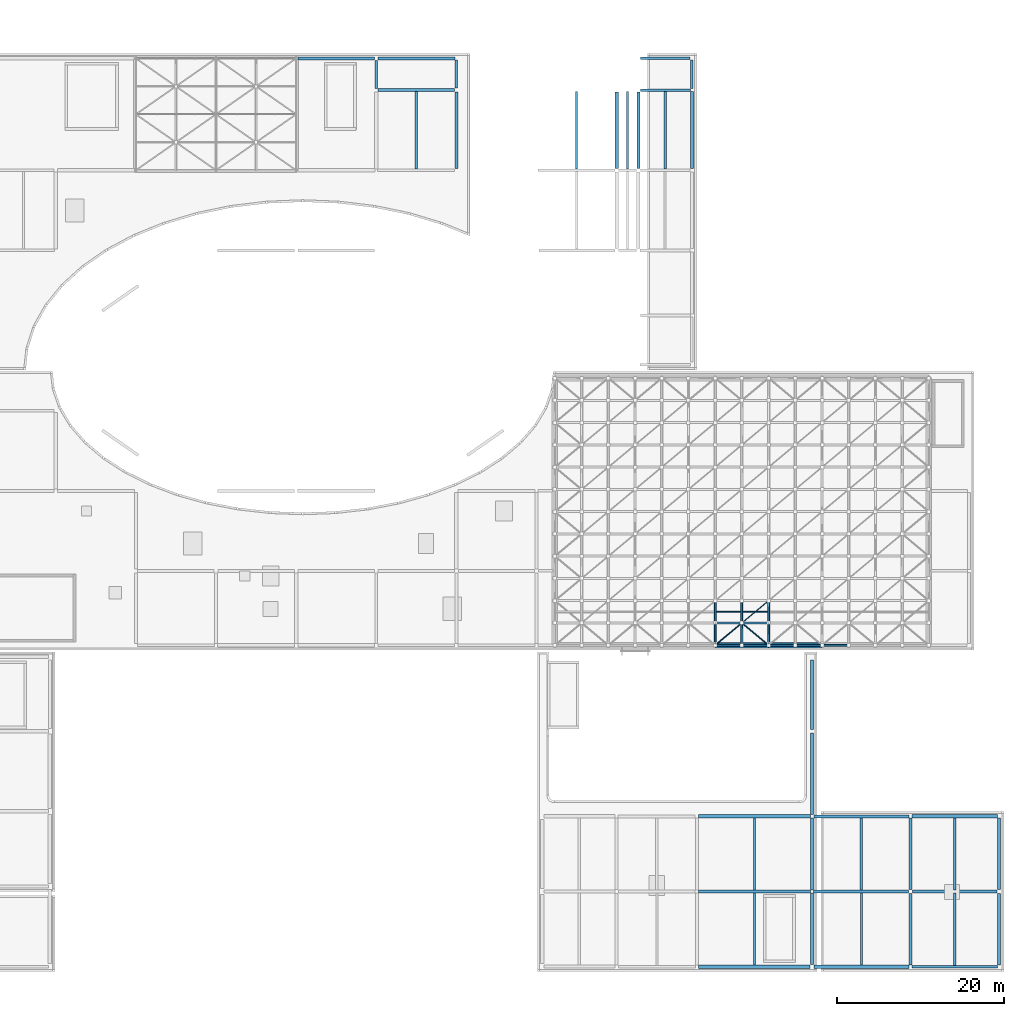
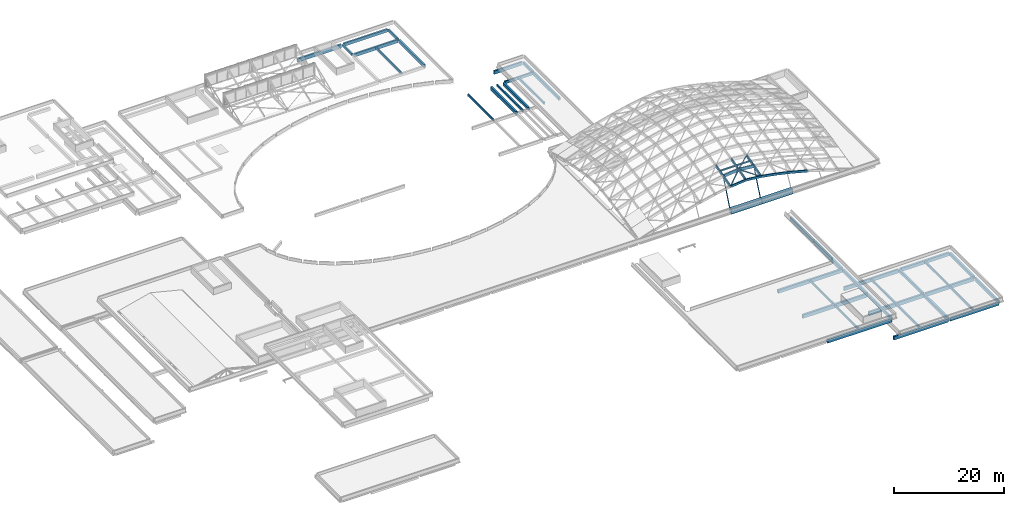
# One storey, part 17 of 40: 41 beams, 19 members.
"""IFC4 building model written with IfcOpenShell, lengths in metres."""

from ifc_helpers import new_model, si_unit, direction, frame, origin, origin_2d, place, context, subcontext, project, spatial, rectangle, hollow_circle, extrude, material, material_profile, profile_set, type_object, element, save


model = new_model("IFC4")

# Units and contexts
model_context = context("Model", 3, precision=1e-05, world=origin(), true_north=direction((0.0, 1.0)))
body_context = subcontext(model_context, "Body", "Model", "MODEL_VIEW")
ifc_project = project(units=[si_unit("LENGTHUNIT", "METRE"), si_unit("AREAUNIT", "SQUARE_METRE"), si_unit("VOLUMEUNIT", "CUBIC_METRE"), si_unit("PLANEANGLEUNIT", "RADIAN"), si_unit("MASSUNIT", "GRAM", prefix="KILO")], contexts=[model_context])

# Site, building, storey
site_placement = place(None, origin())
site = spatial("IfcSite", under=ifc_project, at=site_placement, CompositionType="ELEMENT")
building_placement = place(site_placement, origin())
building = spatial("IfcBuilding", under=site, at=building_placement, Name="Mzevani Central Library", CompositionType="ELEMENT")
storey_placement = place(building_placement, frame((0.0, 0.0, 26.699951171875)))
storey = spatial("IfcBuildingStorey", under=building, at=storey_placement, Name="RF", CompositionType="ELEMENT", Elevation=26.699951171875)

# Member
ifc_material_1 = material(Name="Glulam GL28h", Category="wood")
ifc_material_profile_1 = material_profile(ifc_material_1, rectangle(XDim=0.139892578125, YDim=0.300048828125, at=origin_2d()), Name="GL28h 140x300")
ifc_profile_set_1 = profile_set([ifc_material_profile_1], Name="Glulam GL28h")
member_type_1 = type_object("IfcMemberType", Name="Acoustic Baffle Batten GL28h 140x300", PredefinedType="PURLIN", material=ifc_profile_set_1)
member_1_placement = place(storey_placement, frame((133.489990234375, 47.10009765625, -6.668212890625), z_axis=(1.0, 0.0, 0.0), x_axis=(0.0, 1.0, 0.0)))
element("IfcMember", 1, at=member_1_placement, inside=storey, type_object=member_type_1, Name="RF Gridshell Edge Baffle Purlin 4", PredefinedType="PURLIN", context=body_context, shape_type="SweptSolid", body=[
    extrude(rectangle(XDim=0.139892578125, YDim=0.300048828125, at=origin_2d()), origin(), (0.0, 0.0, 1.0), 6.219970703125),
])

# Beams
ifc_material_2 = material(Name="Concrete C35/45", Category="concrete")
ifc_material_profile_2 = material_profile(ifc_material_2, rectangle(XDim=0.300048828125, YDim=0.5, at=origin_2d()), Name="RC B300x500")
ifc_profile_set_2 = profile_set([ifc_material_profile_2], Name="Concrete C35/45")
beam_type_1 = type_object("IfcBeamType", Name="Beam RC 300x500", PredefinedType="BEAM", material=ifc_profile_set_2)
beam_1_placement = place(storey_placement, frame((92.800048828125, 109.800048828125, -4.7099609375), z_axis=(0.0, 1.0, 0.0), x_axis=(-1.0, 0.0, 0.0)))
element("IfcBeam", 2, at=beam_1_placement, inside=storey, type_object=beam_type_1, Name="RF V3 Frame Beam B-01 (780)", PredefinedType="BEAM", context=body_context, shape_type="SweptSolid", body=[
    extrude(rectangle(XDim=0.300048828125, YDim=0.5, at=origin_2d()), origin(), (0.0, 0.0, 1.0), 3.375),
])
ifc_material_profile_3 = material_profile(ifc_material_2, rectangle(XDim=0.300048828125, YDim=0.60009765625, at=origin_2d()), Name="RC B300x600")
ifc_profile_set_3 = profile_set([ifc_material_profile_3], Name="Concrete C35/45")
beam_type_2 = type_object("IfcBeamType", Name="Beam RC 300x600", PredefinedType="BEAM", material=ifc_profile_set_3)
beam_2_placement = place(storey_placement, frame((124.449951171875, 109.60009765625, -21.85986328125), z_axis=(1.0, 0.0, 0.0), x_axis=(0.0, 1.0, 0.0)))
element("IfcBeam", 3, at=beam_2_placement, inside=storey, type_object=beam_type_2, Name="RF V3 Girder B-03 (482)", PredefinedType="BEAM", context=body_context, shape_type="SweptSolid", body=[
    extrude(rectangle(XDim=0.300048828125, YDim=0.60009765625, at=origin_2d()), origin(), (0.0, 0.0, 1.0), 5.97509765625),
])
beam_3_placement = place(storey_placement, frame((130.60009765625, 109.77490234375, -21.85986328125), z_axis=(0.0, 1.0, 0.0), x_axis=(-1.0, 0.0, 0.0)))
element("IfcBeam", 4, at=beam_3_placement, inside=storey, type_object=beam_type_2, Name="RF V3 Frame Beam B-03 (538)", PredefinedType="BEAM", context=body_context, shape_type="SweptSolid", body=[
    extrude(rectangle(XDim=0.300048828125, YDim=0.60009765625, at=origin_2d()), origin(), (0.0, 0.0, 1.0), 3.425048828125),
])
beam_4_placement = place(storey_placement, frame((102.39990234375, 109.824951171875, -4.760009765625), z_axis=(0.0, 1.0, 0.0), x_axis=(-1.0, 0.0, 0.0)))
element("IfcBeam", 5, at=beam_4_placement, inside=storey, type_object=beam_type_2, Name="RF V3 Frame Beam B-03 (782)", PredefinedType="BEAM", context=body_context, shape_type="SweptSolid", body=[
    extrude(rectangle(XDim=0.300048828125, YDim=0.60009765625, at=origin_2d()), origin(), (0.0, 0.0, 1.0), 3.400146484375),
])
ifc_material_profile_4 = material_profile(ifc_material_2, rectangle(XDim=0.35009765625, YDim=0.64990234375, at=origin_2d()), Name="RC B350x650")
ifc_profile_set_4 = profile_set([ifc_material_profile_4], Name="Concrete C35/45")
beam_type_3 = type_object("IfcBeamType", Name="Beam RC 350x650", PredefinedType="BEAM", material=ifc_profile_set_4)
beam_5_placement = place(storey_placement, frame((124.199951171875, 100.22509765625, -21.885009765625), z_axis=(0.0, 1.0, 0.0), x_axis=(-1.0, 0.0, 0.0)))
element("IfcBeam", 6, at=beam_5_placement, inside=storey, type_object=beam_type_3, Name="RF V3 Frame Beam B-05 (532)", PredefinedType="BEAM", context=body_context, shape_type="SweptSolid", body=[
    extrude(rectangle(XDim=0.35009765625, YDim=0.64990234375, at=origin_2d()), origin(), (0.0, 0.0, 1.0), 9.125),
])
beam_6_placement = place(storey_placement, frame((93.02490234375, 113.39990234375, -4.784912109375), z_axis=(1.0, 0.0, 0.0), x_axis=(0.0, 1.0, 0.0)))
element("IfcBeam", 7, at=beam_6_placement, inside=storey, type_object=beam_type_3, Name="RF V3 Girder B-05 (772)", PredefinedType="BEAM", context=body_context, shape_type="SweptSolid", body=[
    extrude(rectangle(XDim=0.35009765625, YDim=0.64990234375, at=origin_2d()), origin(), (0.0, 0.0, 1.0), 9.2001953125),
])
for number, where, z_axis, x_axis, name in (
    (8, (156.800048828125, 13.824951171875, -21.885009765625), (0.0, 1.0, 0.0), (-1.0, 0.0, 0.0), "RF V6 Frame Beam B-05 (1068)"),
    (9, (145.0, 4.824951171875, -17.68505859375), (0.0, 1.0, 0.0), (-1.0, 0.0, 0.0), "RF V6 Frame Beam B-05 (1108)"),
):
    element("IfcBeam", number, at=place(storey_placement, frame(where, z_axis=z_axis, x_axis=x_axis)), inside=storey, type_object=beam_type_3, Name=name, PredefinedType="BEAM", context=body_context, shape_type="SweptSolid", body=[
        extrude(rectangle(XDim=0.35009765625, YDim=0.64990234375, at=origin_2d()), origin(), (0.0, 0.0, 1.0), 8.60009765625),
    ])
ifc_material_profile_5 = material_profile(ifc_material_2, rectangle(XDim=0.35009765625, YDim=0.699951171875, at=origin_2d()), Name="RC B350x700")
ifc_profile_set_5 = profile_set([ifc_material_profile_5], Name="Concrete C35/45")
beam_type_4 = type_object("IfcBeamType", Name="Beam RC 350x700", PredefinedType="BEAM", material=ifc_profile_set_5)
beam_7_placement = place(storey_placement, frame((130.60009765625, 100.22509765625, -21.909912109375), z_axis=(0.0, 1.0, 0.0), x_axis=(-1.0, 0.0, 0.0)))
element("IfcBeam", 10, at=beam_7_placement, inside=storey, type_object=beam_type_4, Name="RF V3 Frame Beam B-06 (537)", PredefinedType="BEAM", context=body_context, shape_type="SweptSolid", body=[
    extrude(rectangle(XDim=0.35009765625, YDim=0.699951171875, at=origin_2d()), origin(), (0.0, 0.0, 1.0), 9.199951171875),
])
for number, where, z_axis, x_axis, name in (
    (11, (93.0, 109.60009765625, -4.81005859375), (1.0, 0.0, 0.0), (0.0, 1.0, 0.0), "RF V3 Girder B-06 (769)"),
    (12, (102.39990234375, 100.199951171875, -4.81005859375), (0.0, 1.0, 0.0), (-1.0, 0.0, 0.0), "RF V3 Frame Beam B-06 (781)"),
):
    element("IfcBeam", number, at=place(storey_placement, frame(where, z_axis=z_axis, x_axis=x_axis)), inside=storey, type_object=beam_type_4, Name=name, PredefinedType="BEAM", context=body_context, shape_type="SweptSolid", body=[
        extrude(rectangle(XDim=0.35009765625, YDim=0.699951171875, at=origin_2d()), origin(), (0.0, 0.0, 1.0), 9.175048828125),
    ])
beam_8_placement = place(storey_placement, frame((167.39990234375, 4.800048828125, -21.909912109375), z_axis=(0.0, 1.0, 0.0), x_axis=(-1.0, 0.0, 0.0)))
element("IfcBeam", 13, at=beam_8_placement, inside=storey, type_object=beam_type_4, Name="RF V6 Frame Beam B-06 (1069)", PredefinedType="BEAM", context=body_context, shape_type="SweptSolid", body=[
    extrude(rectangle(XDim=0.35009765625, YDim=0.699951171875, at=origin_2d()), origin(), (0.0, 0.0, 1.0), 8.574951171875),
])
beam_9_placement = place(storey_placement, frame((145.0, 13.77490234375, -17.7099609375), z_axis=(0.0, 1.0, 0.0), x_axis=(-1.0, 0.0, 0.0)))
element("IfcBeam", 14, at=beam_9_placement, inside=storey, type_object=beam_type_4, Name="RF V6 Frame Beam B-06 (1109)", PredefinedType="BEAM", context=body_context, shape_type="SweptSolid", body=[
    extrude(rectangle(XDim=0.35009765625, YDim=0.699951171875, at=origin_2d()), origin(), (0.0, 0.0, 1.0), 8.625),
])
ifc_material_profile_6 = material_profile(ifc_material_2, rectangle(XDim=0.39990234375, YDim=0.64990234375, at=origin_2d()), Name="RC B400x650")
ifc_profile_set_6 = profile_set([ifc_material_profile_6], Name="Concrete C35/45")
beam_type_5 = type_object("IfcBeamType", Name="Beam RC 400x650", PredefinedType="BEAM", material=ifc_profile_set_6)
beam_10_placement = place(storey_placement, frame((167.39990234375, 13.824951171875, -21.885009765625), z_axis=(0.0, 1.0, 0.0), x_axis=(-1.0, 0.0, 0.0)))
element("IfcBeam", 15, at=beam_10_placement, inside=storey, type_object=beam_type_5, Name="RF V6 Frame Beam B-07 (1070)", PredefinedType="BEAM", context=body_context, shape_type="SweptSolid", body=[
    extrude(rectangle(XDim=0.39990234375, YDim=0.64990234375, at=origin_2d()), origin(), (0.0, 0.0, 1.0), 8.60009765625),
])
ifc_material_profile_7 = material_profile(ifc_material_2, rectangle(XDim=0.39990234375, YDim=0.699951171875, at=origin_2d()), Name="RC B400x700")
ifc_profile_set_7 = profile_set([ifc_material_profile_7], Name="Concrete C35/45")
beam_type_6 = type_object("IfcBeamType", Name="Beam RC 400x700", PredefinedType="BEAM", material=ifc_profile_set_7)
beam_11_placement = place(storey_placement, frame((121.60009765625, 100.22509765625, -21.909912109375), z_axis=(0.0, 1.0, 0.0), x_axis=(-1.0, 0.0, 0.0)))
element("IfcBeam", 16, at=beam_11_placement, inside=storey, type_object=beam_type_6, Name="RF V3 Frame Beam B-08 (527)", PredefinedType="BEAM", context=body_context, shape_type="SweptSolid", body=[
    extrude(rectangle(XDim=0.39990234375, YDim=0.699951171875, at=origin_2d()), origin(), (0.0, 0.0, 1.0), 9.125),
])
beam_12_placement = place(storey_placement, frame((156.97509765625, 22.60009765625, -21.909912109375), z_axis=(1.0, 0.0, 0.0), x_axis=(0.0, 1.0, 0.0)))
element("IfcBeam", 17, at=beam_12_placement, inside=storey, type_object=beam_type_6, Name="RF V6 Girder B-08 (1048)", PredefinedType="BEAM", context=body_context, shape_type="SweptSolid", body=[
    extrude(rectangle(XDim=0.39990234375, YDim=0.699951171875, at=origin_2d()), origin(), (0.0, 0.0, 1.0), 10.25),
])
beam_13_placement = place(storey_placement, frame((156.800048828125, 4.800048828125, -21.909912109375), z_axis=(0.0, 1.0, 0.0), x_axis=(-1.0, 0.0, 0.0)))
element("IfcBeam", 18, at=beam_13_placement, inside=storey, type_object=beam_type_6, Name="RF V6 Frame Beam B-08 (1067)", PredefinedType="BEAM", context=body_context, shape_type="SweptSolid", body=[
    extrude(rectangle(XDim=0.39990234375, YDim=0.699951171875, at=origin_2d()), origin(), (0.0, 0.0, 1.0), 8.574951171875),
])
beam_14_placement = place(storey_placement, frame((145.0, 33.02490234375, -17.7099609375), z_axis=(0.0, 1.0, 0.0), x_axis=(-1.0, 0.0, 0.0)))
element("IfcBeam", 19, at=beam_14_placement, inside=storey, type_object=beam_type_6, Name="RF V6 Frame Beam B-08 (1111)", PredefinedType="BEAM", context=body_context, shape_type="SweptSolid", body=[
    extrude(rectangle(XDim=0.39990234375, YDim=0.699951171875, at=origin_2d()), origin(), (0.0, 0.0, 1.0), 8.3251953125),
])
ifc_material_profile_8 = material_profile(ifc_material_2, rectangle(XDim=0.39990234375, YDim=0.75, at=origin_2d()), Name="RC B400x750")
ifc_profile_set_8 = profile_set([ifc_material_profile_8], Name="Concrete C35/45")
beam_type_7 = type_object("IfcBeamType", Name="Beam RC 400x750", PredefinedType="BEAM", material=ifc_profile_set_8)
beam_15_placement = place(storey_placement, frame((145.25, 4.60009765625, -21.93505859375), z_axis=(1.0, 0.0, 0.0), x_axis=(0.0, 1.0, 0.0)))
element("IfcBeam", 20, at=beam_15_placement, inside=storey, type_object=beam_type_7, Name="RF V6 Girder B-09 (1037)", PredefinedType="BEAM", context=body_context, shape_type="SweptSolid", body=[
    extrude(rectangle(XDim=0.39990234375, YDim=0.75, at=origin_2d()), origin(), (0.0, 0.0, 1.0), 11.35009765625),
])
beam_16_placement = place(storey_placement, frame((131.425048828125, 22.60009765625, -17.73486328125), z_axis=(1.0, 0.0, 0.0), x_axis=(0.0, 1.0, 0.0)))
element("IfcBeam", 21, at=beam_16_placement, inside=storey, type_object=beam_type_7, Name="RF V6 Girder B-09 (1093)", PredefinedType="BEAM", context=body_context, shape_type="SweptSolid", body=[
    extrude(rectangle(XDim=0.39990234375, YDim=0.75, at=origin_2d()), origin(), (0.0, 0.0, 1.0), 13.375),
])
ifc_material_profile_9 = material_profile(ifc_material_2, rectangle(XDim=0.39990234375, YDim=0.800048828125, at=origin_2d()), Name="RC B400x800")
ifc_profile_set_9 = profile_set([ifc_material_profile_9], Name="Concrete C35/45")
beam_type_8 = type_object("IfcBeamType", Name="Beam RC 400x800", PredefinedType="BEAM", material=ifc_profile_set_9)
beam_17_placement = place(storey_placement, frame((145.199951171875, 13.60009765625, -21.9599609375), z_axis=(1.0, 0.0, 0.0), x_axis=(0.0, 1.0, 0.0)))
element("IfcBeam", 22, at=beam_17_placement, inside=storey, type_object=beam_type_8, Name="RF V6 Girder B-10 (1042)", PredefinedType="BEAM", context=body_context, shape_type="SweptSolid", body=[
    extrude(rectangle(XDim=0.39990234375, YDim=0.800048828125, at=origin_2d()), origin(), (0.0, 0.0, 1.0), 11.375),
])
beam_18_placement = place(storey_placement, frame((157.02490234375, 13.60009765625, -21.9599609375), z_axis=(1.0, 0.0, 0.0), x_axis=(0.0, 1.0, 0.0)))
element("IfcBeam", 23, at=beam_18_placement, inside=storey, type_object=beam_type_8, Name="RF V6 Girder B-10 (1043)", PredefinedType="BEAM", context=body_context, shape_type="SweptSolid", body=[
    extrude(rectangle(XDim=0.39990234375, YDim=0.800048828125, at=origin_2d()), origin(), (0.0, 0.0, 1.0), 10.150146484375),
])
beam_19_placement = place(storey_placement, frame((131.375, 4.60009765625, -17.760009765625), z_axis=(1.0, 0.0, 0.0), x_axis=(0.0, 1.0, 0.0)))
element("IfcBeam", 24, at=beam_19_placement, inside=storey, type_object=beam_type_8, Name="RF V6 Girder B-10 (1087)", PredefinedType="BEAM", context=body_context, shape_type="SweptSolid", body=[
    extrude(rectangle(XDim=0.39990234375, YDim=0.800048828125, at=origin_2d()), origin(), (0.0, 0.0, 1.0), 13.39990234375),
])
beam_20_placement = place(storey_placement, frame((131.39990234375, 13.60009765625, -17.760009765625), z_axis=(1.0, 0.0, 0.0), x_axis=(0.0, 1.0, 0.0)))
element("IfcBeam", 25, at=beam_20_placement, inside=storey, type_object=beam_type_8, Name="RF V6 Girder B-10 (1090)", PredefinedType="BEAM", context=body_context, shape_type="SweptSolid", body=[
    extrude(rectangle(XDim=0.39990234375, YDim=0.800048828125, at=origin_2d()), origin(), (0.0, 0.0, 1.0), 13.425048828125),
])
beam_21_placement = place(storey_placement, frame((145.0, 22.800048828125, -17.760009765625), z_axis=(0.0, 1.0, 0.0), x_axis=(-1.0, 0.0, 0.0)))
element("IfcBeam", 26, at=beam_21_placement, inside=storey, type_object=beam_type_8, Name="RF V6 Frame Beam B-10 (1110)", PredefinedType="BEAM", context=body_context, shape_type="SweptSolid", body=[
    extrude(rectangle(XDim=0.39990234375, YDim=0.800048828125, at=origin_2d()), origin(), (0.0, 0.0, 1.0), 9.77490234375),
])
ifc_material_3 = material(Name="Precast concrete C40/50", Category="concrete")
ifc_material_profile_10 = material_profile(ifc_material_3, rectangle(XDim=0.35009765625, YDim=0.800048828125, at=origin_2d()), Name="RC SP350x800")
ifc_profile_set_10 = profile_set([ifc_material_profile_10], Name="Precast concrete C40/50")
beam_type_9 = type_object("IfcBeamType", Name="Colonnade Fascia Beam RC 350x800", PredefinedType="SPANDREL", material=ifc_profile_set_10)
beam_22_placement = place(storey_placement, frame((83.39990234375, 113.39990234375, -4.85986328125), z_axis=(1.0, 0.0, 0.0), x_axis=(0.0, 1.0, 0.0)))
element("IfcBeam", 27, at=beam_22_placement, inside=storey, type_object=beam_type_9, Name="RF V3 Girder SP-02 (771)", PredefinedType="SPANDREL", context=body_context, shape_type="SweptSolid", body=[
    extrude(rectangle(XDim=0.35009765625, YDim=0.800048828125, at=origin_2d()), origin(), (0.0, 0.0, 1.0), 9.175048828125),
])
beam_23_placement = place(storey_placement, frame((145.22509765625, 22.60009765625, -21.9599609375), z_axis=(1.0, 0.0, 0.0), x_axis=(0.0, 1.0, 0.0)))
element("IfcBeam", 28, at=beam_23_placement, inside=storey, type_object=beam_type_9, Name="RF V6 Girder SP-02 (1047)", PredefinedType="SPANDREL", context=body_context, shape_type="SweptSolid", body=[
    extrude(rectangle(XDim=0.35009765625, YDim=0.800048828125, at=origin_2d()), origin(), (0.0, 0.0, 1.0), 11.39990234375),
])
ifc_material_profile_11 = material_profile(ifc_material_3, rectangle(XDim=0.300048828125, YDim=0.75, at=origin_2d()), Name="RC SP300x750")
ifc_profile_set_11 = profile_set([ifc_material_profile_11], Name="Precast concrete C40/50")
beam_type_10 = type_object("IfcBeamType", Name="Edge Spandrel Beam RC 300x750", PredefinedType="SPANDREL", material=ifc_profile_set_11)
beam_24_placement = place(storey_placement, frame((124.47509765625, 113.39990234375, -21.93505859375), z_axis=(1.0, 0.0, 0.0), x_axis=(0.0, 1.0, 0.0)))
element("IfcBeam", 29, at=beam_24_placement, inside=storey, type_object=beam_type_10, Name="RF V3 Girder SP-01 (492)", PredefinedType="SPANDREL", context=body_context, shape_type="SweptSolid", body=[
    extrude(rectangle(XDim=0.300048828125, YDim=0.75, at=origin_2d()), origin(), (0.0, 0.0, 1.0), 5.9248046875),
])
beam_25_placement = place(storey_placement, frame((157.0, 4.60009765625, -21.93505859375), z_axis=(1.0, 0.0, 0.0), x_axis=(0.0, 1.0, 0.0)))
element("IfcBeam", 30, at=beam_25_placement, inside=storey, type_object=beam_type_10, Name="RF V6 Girder SP-01 (1038)", PredefinedType="SPANDREL", context=body_context, shape_type="SweptSolid", body=[
    extrude(rectangle(XDim=0.300048828125, YDim=0.75, at=origin_2d()), origin(), (0.0, 0.0, 1.0), 10.199951171875),
])
ifc_material_profile_12 = material_profile(ifc_material_2, rectangle(XDim=0.25, YDim=0.449951171875, at=origin_2d()), Name="RC J250x450")
ifc_profile_set_12 = profile_set([ifc_material_profile_12], Name="Concrete C35/45")
beam_type_11 = type_object("IfcBeamType", Name="Floor Joist RC 250x450", PredefinedType="JOIST", material=ifc_profile_set_12)
beam_26_placement = place(storey_placement, frame((116.800048828125, 100.175048828125, -21.784912109375), z_axis=(0.0, 1.0, 0.0), x_axis=(-1.0, 0.0, 0.0)))
element("IfcBeam", 31, at=beam_26_placement, inside=storey, type_object=beam_type_11, Name="RF V3 Floor Joist BJ-01 (546)", PredefinedType="JOIST", context=body_context, shape_type="SweptSolid", body=[
    extrude(rectangle(XDim=0.25, YDim=0.449951171875, at=origin_2d()), origin(), (0.0, 0.0, 1.0), 9.25),
])
for number, where, z_axis, x_axis, name in (
    (32, (150.91259765625, 4.800048828125, -21.784912109375), (0.0, 1.0, 0.0), (-1.0, 0.0, 0.0), "RF V6 Floor Joist BJ-01 (1074)"),
    (33, (162.10009765625, 13.800048828125, -21.784912109375), (0.0, 1.0, 0.0), (-1.0, 0.0, 0.0), "RF V6 Floor Joist BJ-01 (1080)"),
):
    element("IfcBeam", number, at=place(storey_placement, frame(where, z_axis=z_axis, x_axis=x_axis)), inside=storey, type_object=beam_type_11, Name=name, PredefinedType="JOIST", context=body_context, shape_type="SweptSolid", body=[
        extrude(rectangle(XDim=0.25, YDim=0.449951171875, at=origin_2d()), origin(), (0.0, 0.0, 1.0), 8.599853515625),
    ])
ifc_material_profile_13 = material_profile(ifc_material_2, rectangle(XDim=0.25, YDim=0.5, at=origin_2d()), Name="RC J250x500")
ifc_profile_set_13 = profile_set([ifc_material_profile_13], Name="Concrete C35/45")
beam_type_12 = type_object("IfcBeamType", Name="Floor Joist RC 250x500", PredefinedType="JOIST", material=ifc_profile_set_13)
beam_27_placement = place(storey_placement, frame((122.89990234375, 100.14990234375, -21.81005859375), z_axis=(0.0, 1.0, 0.0), x_axis=(-1.0, 0.0, 0.0)))
element("IfcBeam", 34, at=beam_27_placement, inside=storey, type_object=beam_type_12, Name="RF V3 Floor Joist BJ-02 (547)", PredefinedType="JOIST", context=body_context, shape_type="SweptSolid", body=[
    extrude(rectangle(XDim=0.25, YDim=0.5, at=origin_2d()), origin(), (0.0, 0.0, 1.0), 9.300048828125),
])
beam_28_placement = place(storey_placement, frame((97.58740234375, 100.175048828125, -4.7099609375), z_axis=(0.0, 1.0, 0.0), x_axis=(-1.0, 0.0, 0.0)))
element("IfcBeam", 35, at=beam_28_placement, inside=storey, type_object=beam_type_12, Name="RF V3 Floor Joist BJ-02 (784)", PredefinedType="JOIST", context=body_context, shape_type="SweptSolid", body=[
    extrude(rectangle(XDim=0.25, YDim=0.5, at=origin_2d()), origin(), (0.0, 0.0, 1.0), 9.25),
])
beam_29_placement = place(storey_placement, frame((162.10009765625, 4.75, -21.81005859375), z_axis=(0.0, 1.0, 0.0), x_axis=(-1.0, 0.0, 0.0)))
element("IfcBeam", 36, at=beam_29_placement, inside=storey, type_object=beam_type_12, Name="RF V6 Floor Joist BJ-02 (1075)", PredefinedType="JOIST", context=body_context, shape_type="SweptSolid", body=[
    extrude(rectangle(XDim=0.25, YDim=0.5, at=origin_2d()), origin(), (0.0, 0.0, 1.0), 8.64990234375),
])
for number, where, z_axis, x_axis, name in (
    (37, (138.08740234375, 4.800048828125, -17.60986328125), (0.0, 1.0, 0.0), (-1.0, 0.0, 0.0), "RF V6 Floor Joist BJ-02 (1114)"),
    (38, (138.112548828125, 13.800048828125, -17.60986328125), (0.0, 1.0, 0.0), (-1.0, 0.0, 0.0), "RF V6 Floor Joist BJ-02 (1117)"),
):
    element("IfcBeam", number, at=place(storey_placement, frame(where, z_axis=z_axis, x_axis=x_axis)), inside=storey, type_object=beam_type_12, Name=name, PredefinedType="JOIST", context=body_context, shape_type="SweptSolid", body=[
        extrude(rectangle(XDim=0.25, YDim=0.5, at=origin_2d()), origin(), (0.0, 0.0, 1.0), 8.599853515625),
    ])
ifc_material_profile_14 = material_profile(ifc_material_2, rectangle(XDim=0.300048828125, YDim=0.449951171875, at=origin_2d()), Name="RC J300x450")
ifc_profile_set_14 = profile_set([ifc_material_profile_14], Name="Concrete C35/45")
beam_type_13 = type_object("IfcBeamType", Name="Floor Joist RC 300x450", PredefinedType="JOIST", material=ifc_profile_set_14)
beam_30_placement = place(storey_placement, frame((127.41259765625, 100.14990234375, -21.784912109375), z_axis=(0.0, 1.0, 0.0), x_axis=(-1.0, 0.0, 0.0)))
element("IfcBeam", 39, at=beam_30_placement, inside=storey, type_object=beam_type_13, Name="RF V3 Floor Joist BJ-03 (548)", PredefinedType="JOIST", context=body_context, shape_type="SweptSolid", body=[
    extrude(rectangle(XDim=0.300048828125, YDim=0.449951171875, at=origin_2d()), origin(), (0.0, 0.0, 1.0), 9.300048828125),
])
beam_31_placement = place(storey_placement, frame((150.89990234375, 13.800048828125, -21.784912109375), z_axis=(0.0, 1.0, 0.0), x_axis=(-1.0, 0.0, 0.0)))
element("IfcBeam", 40, at=beam_31_placement, inside=storey, type_object=beam_type_13, Name="RF V6 Floor Joist BJ-03 (1079)", PredefinedType="JOIST", context=body_context, shape_type="SweptSolid", body=[
    extrude(rectangle(XDim=0.300048828125, YDim=0.449951171875, at=origin_2d()), origin(), (0.0, 0.0, 1.0), 8.625),
])

# Members
ifc_material_4 = material(Name="Steel S355J2", Category="steel")
ifc_material_profile_15 = material_profile(ifc_material_4, hollow_circle(Radius=0.096923828125, WallThickness=0.010009765625, at=origin_2d()), Name="CHS 193.7x10.0")
ifc_profile_set_15 = profile_set([ifc_material_profile_15], Name="Steel S355J2")
member_type_2 = type_object("IfcMemberType", Name="Gridshell Corner Raker CHS 193.7", PredefinedType="BRACE", material=ifc_profile_set_15)
for number, where, z_axis, x_axis, name in (
    (41, (133.39990234375, 43.25, -12.949951171875), (0.0, 0.387324471873, 0.921943465451), (-1.0, 0.0, 0.0), "RF Gridshell South Springing Raker 3"),
    (42, (139.800048828125, 43.25, -12.949951171875), (0.0, 0.387324471873, 0.921943465451), (-1.0, 0.0, 0.0), "RF Gridshell South Springing Raker 4"),
):
    element("IfcMember", number, at=place(storey_placement, frame(where, z_axis=z_axis, x_axis=x_axis)), inside=storey, type_object=member_type_2, Name=name, PredefinedType="BRACE", context=body_context, shape_type="SweptSolid", body=[
        extrude(hollow_circle(Radius=0.096923828125, WallThickness=0.010009765625, at=origin_2d()), origin(), (0.0, 0.0, 1.0), 6.497314453125),
    ])
ifc_material_profile_16 = material_profile(ifc_material_4, hollow_circle(Radius=0.05712890625, WallThickness=0.00634765625, at=origin_2d()), Name="CHS 114.3x6.3")
ifc_profile_set_16 = profile_set([ifc_material_profile_16], Name="Steel S355J2")
member_type_3 = type_object("IfcMemberType", Name="Gridshell Diagonal Brace CHS 114.3", PredefinedType="BRACE", material=ifc_profile_set_16)
member_2_placement = place(storey_placement, frame((136.60009765625, 45.7666015625, -6.6064453125), z_axis=(0.765574853939, 0.638008249758, 0.082708018095), x_axis=(-0.640201694382, 0.768206867003, 0.0)))
element("IfcMember", 43, at=member_2_placement, inside=storey, type_object=member_type_3, Name="RF Gridshell Steel Diagonal 8.2", PredefinedType="BRACE", context=body_context, shape_type="SweptSolid", body=[
    extrude(hollow_circle(Radius=0.05712890625, WallThickness=0.00634765625, at=origin_2d()), origin(), (0.0, 0.0, 1.0), 4.1796875),
])
ifc_material_profile_17 = material_profile(ifc_material_1, rectangle(XDim=0.199951171875, YDim=0.47998046875, at=origin_2d()), Name="GL28h 200x480")
ifc_profile_set_17 = profile_set([ifc_material_profile_17], Name="Glulam GL28h")
member_type_4 = type_object("IfcMemberType", Name="Gridshell Edge Rib GL28h 200x480", PredefinedType="RAFTER", material=ifc_profile_set_17)
member_3_placement = place(storey_placement, frame((133.39990234375, 43.10009765625, -7.6533203125), z_axis=(0.994621666406, 0.0, 0.103574807342), x_axis=(0.0, 1.0, 0.0)))
element("IfcMember", 44, at=member_3_placement, inside=storey, type_object=member_type_4, Name="RF Gridshell Glulam Arch Rib X1.7", PredefinedType="RAFTER", context=body_context, shape_type="SweptSolid", body=[
    extrude(rectangle(XDim=0.199951171875, YDim=0.47998046875, at=origin_2d()), origin(), (0.0, 0.0, 1.0), 3.217529296875),
])
member_4_placement = place(storey_placement, frame((136.60009765625, 43.10009765625, -7.320068359375), z_axis=(0.994620852304, 0.0, -0.103582624811), x_axis=(0.0, 1.0, 0.0)))
element("IfcMember", 45, at=member_4_placement, inside=storey, type_object=member_type_4, Name="RF Gridshell Glulam Arch Rib X1.8", PredefinedType="RAFTER", context=body_context, shape_type="SweptSolid", body=[
    extrude(rectangle(XDim=0.199951171875, YDim=0.47998046875, at=origin_2d()), origin(), (0.0, 0.0, 1.0), 3.21728515625),
])
member_5_placement = place(storey_placement, frame((139.800048828125, 43.10009765625, -7.6533203125), z_axis=(0.984121212692, 0.0, -0.177497714718), x_axis=(0.0, 1.0, 0.0)))
element("IfcMember", 46, at=member_5_placement, inside=storey, type_object=member_type_4, Name="RF Gridshell Glulam Arch Rib X1.9", PredefinedType="RAFTER", context=body_context, shape_type="SweptSolid", body=[
    extrude(rectangle(XDim=0.199951171875, YDim=0.47998046875, at=origin_2d()), origin(), (0.0, 0.0, 1.0), 3.25146484375),
])
member_6_placement = place(storey_placement, frame((143.0, 43.10009765625, -8.23046875), z_axis=(0.975034107954, 0.0, -0.222055147039), x_axis=(0.0, 1.0, 0.0)))
element("IfcMember", 47, at=member_6_placement, inside=storey, type_object=member_type_4, Name="RF Gridshell Glulam Arch Rib X1.10", PredefinedType="RAFTER", context=body_context, shape_type="SweptSolid", body=[
    extrude(rectangle(XDim=0.199951171875, YDim=0.47998046875, at=origin_2d()), origin(), (0.0, 0.0, 1.0), 3.281982421875),
])
member_7_placement = place(storey_placement, frame((146.199951171875, 43.10009765625, -8.959228515625), z_axis=(0.966604816788, 0.0, -0.256271590626), x_axis=(0.0, 1.0, 0.0)))
element("IfcMember", 48, at=member_7_placement, inside=storey, type_object=member_type_4, Name="RF Gridshell Glulam Arch Rib X1.11", PredefinedType="RAFTER", context=body_context, shape_type="SweptSolid", body=[
    extrude(rectangle(XDim=0.199951171875, YDim=0.47998046875, at=origin_2d()), origin(), (0.0, 0.0, 1.0), 3.310546875),
])
ifc_material_profile_18 = material_profile(ifc_material_1, rectangle(XDim=0.239990234375, YDim=0.6201171875, at=origin_2d()), Name="GL28h 240x620")
ifc_profile_set_18 = profile_set([ifc_material_profile_18], Name="Glulam GL28h")
member_type_5 = type_object("IfcMemberType", Name="Gridshell Primary Rib GL28h 240x620", PredefinedType="RAFTER", material=ifc_profile_set_18)
member_8_placement = place(storey_placement, frame((133.39990234375, 45.7666015625, -6.979736328125), z_axis=(0.994621666406, 0.0, 0.103574807342), x_axis=(0.0, 1.0, 0.0)))
element("IfcMember", 49, at=member_8_placement, inside=storey, type_object=member_type_5, Name="RF Gridshell Glulam Arch Rib X2.7", PredefinedType="RAFTER", context=body_context, shape_type="SweptSolid", body=[
    extrude(rectangle(XDim=0.239990234375, YDim=0.6201171875, at=origin_2d()), origin(), (0.0, 0.0, 1.0), 3.217529296875),
])
member_9_placement = place(storey_placement, frame((136.60009765625, 45.7666015625, -6.646484375), z_axis=(0.994620852304, 0.0, -0.103582624811), x_axis=(0.0, 1.0, 0.0)))
element("IfcMember", 50, at=member_9_placement, inside=storey, type_object=member_type_5, Name="RF Gridshell Glulam Arch Rib X2.8", PredefinedType="RAFTER", context=body_context, shape_type="SweptSolid", body=[
    extrude(rectangle(XDim=0.239990234375, YDim=0.6201171875, at=origin_2d()), origin(), (0.0, 0.0, 1.0), 3.21728515625),
])

# Beams
ifc_material_5 = material(Name="Concrete C40/50", Category="concrete")
ifc_material_profile_19 = material_profile(ifc_material_5, rectangle(XDim=0.699951171875, YDim=1.10009765625, at=origin_2d()), Name="RC RB700x1100")
ifc_profile_set_19 = profile_set([ifc_material_profile_19], Name="Concrete C40/50")
beam_type_14 = type_object("IfcBeamType", Name="Gridshell Ring Beam RC 700x1100", PredefinedType="BEAM", material=ifc_profile_set_19)
beam_32_placement = place(storey_placement, frame((133.39990234375, 43.10009765625, -13.050048828125), z_axis=(1.0, 0.0, 0.0), x_axis=(0.0, 1.0, 0.0)))
element("IfcBeam", 51, at=beam_32_placement, inside=storey, type_object=beam_type_14, Name="RF Gridshell Ring Beam South Bay 4", PredefinedType="BEAM", context=body_context, shape_type="SweptSolid", body=[
    extrude(rectangle(XDim=0.699951171875, YDim=1.10009765625, at=origin_2d()), origin(), (0.0, 0.0, 1.0), 6.400146484375),
])
beam_33_placement = place(storey_placement, frame((139.800048828125, 43.10009765625, -13.050048828125), z_axis=(1.0, 0.0, 0.0), x_axis=(0.0, 1.0, 0.0)))
element("IfcBeam", 52, at=beam_33_placement, inside=storey, type_object=beam_type_14, Name="RF Gridshell Ring Beam South Bay 5", PredefinedType="BEAM", context=body_context, shape_type="SweptSolid", body=[
    extrude(rectangle(XDim=0.699951171875, YDim=1.10009765625, at=origin_2d()), origin(), (0.0, 0.0, 1.0), 6.39990234375),
])

# Members
ifc_material_profile_20 = material_profile(ifc_material_4, hollow_circle(Radius=0.084228515625, WallThickness=0.010009765625, at=origin_2d()), Name="CHS 168.3x10.0")
ifc_profile_set_20 = profile_set([ifc_material_profile_20], Name="Steel S355J2")
member_type_6 = type_object("IfcMemberType", Name="Gridshell Springing Brace CHS 168.3", PredefinedType="BRACE", material=ifc_profile_set_20)
member_10_placement = place(storey_placement, frame((133.39990234375, 43.10009765625, -7.68310546875), z_axis=(0.743815421617, 0.619770524481, 0.250246109958), x_axis=(-0.640138279177, 0.768259710991, 0.0)))
element("IfcMember", 53, at=member_10_placement, inside=storey, type_object=member_type_6, Name="RF Gridshell Steel Diagonal 7.1", PredefinedType="BRACE", context=body_context, shape_type="SweptSolid", body=[
    extrude(hollow_circle(Radius=0.084228515625, WallThickness=0.010009765625, at=origin_2d()), origin(), (0.0, 0.0, 1.0), 4.302490234375),
])
member_11_placement = place(storey_placement, frame((136.60009765625, 45.7666015625, -6.6064453125), z_axis=(0.743790069762, -0.619796684363, -0.250256672591), x_axis=(0.640167103973, 0.768235692344, 0.0)))
element("IfcMember", 54, at=member_11_placement, inside=storey, type_object=member_type_6, Name="RF Gridshell Steel Diagonal 8.1", PredefinedType="BRACE", context=body_context, shape_type="SweptSolid", body=[
    extrude(hollow_circle(Radius=0.084228515625, WallThickness=0.010009765625, at=origin_2d()), origin(), (0.0, 0.0, 1.0), 4.30224609375),
])
ifc_material_profile_21 = material_profile(ifc_material_1, rectangle(XDim=0.219970703125, YDim=0.52001953125, at=origin_2d()), Name="GL28h 220x520")
ifc_profile_set_21 = profile_set([ifc_material_profile_21], Name="Glulam GL28h")
member_type_7 = type_object("IfcMemberType", Name="Gridshell Transverse Rib GL28h 220x520", PredefinedType="RAFTER", material=ifc_profile_set_21)
member_12_placement = place(storey_placement, frame((136.60009765625, 43.10009765625, -7.33984375), z_axis=(0.0, 0.96328758471, 0.268471654263), x_axis=(-1.0, 0.0, 0.0)))
element("IfcMember", 55, at=member_12_placement, inside=storey, type_object=member_type_7, Name="RF Gridshell Glulam Transverse Rib Y8.1", PredefinedType="RAFTER", context=body_context, shape_type="SweptSolid", body=[
    extrude(rectangle(XDim=0.219970703125, YDim=0.52001953125, at=origin_2d()), origin(), (0.0, 0.0, 1.0), 2.76806640625),
])
member_13_placement = place(storey_placement, frame((136.60009765625, 45.7666015625, -6.5966796875), z_axis=(0.0, 0.969063231136, 0.246812588943), x_axis=(-1.0, 0.0, 0.0)))
element("IfcMember", 56, at=member_13_placement, inside=storey, type_object=member_type_7, Name="RF Gridshell Glulam Transverse Rib Y8.2", PredefinedType="RAFTER", context=body_context, shape_type="SweptSolid", body=[
    extrude(rectangle(XDim=0.219970703125, YDim=0.52001953125, at=origin_2d()), origin(), (0.0, 0.0, 1.0), 2.751953125),
])
ifc_material_profile_22 = material_profile(ifc_material_1, rectangle(XDim=0.219970703125, YDim=0.580078125, at=origin_2d()), Name="GL28h 220x580")
ifc_profile_set_22 = profile_set([ifc_material_profile_22], Name="Glulam GL28h")
member_type_8 = type_object("IfcMemberType", Name="Gridshell Transverse Rib GL28h 220x580", PredefinedType="RAFTER", material=ifc_profile_set_22)
member_14_placement = place(storey_placement, frame((133.39990234375, 43.10009765625, -7.703125), z_axis=(0.0, 0.963264772672, 0.268553491374), x_axis=(-1.0, 0.0, 0.0)))
element("IfcMember", 57, at=member_14_placement, inside=storey, type_object=member_type_8, Name="RF Gridshell Glulam Transverse Rib Y7.1", PredefinedType="RAFTER", context=body_context, shape_type="SweptSolid", body=[
    extrude(rectangle(XDim=0.219970703125, YDim=0.580078125, at=origin_2d()), origin(), (0.0, 0.0, 1.0), 2.768310546875),
])
member_15_placement = place(storey_placement, frame((133.39990234375, 45.7666015625, -6.959716796875), z_axis=(0.0, 0.969084447248, 0.246729272892), x_axis=(-1.0, 0.0, 0.0)))
element("IfcMember", 58, at=member_15_placement, inside=storey, type_object=member_type_8, Name="RF Gridshell Glulam Transverse Rib Y7.2", PredefinedType="RAFTER", context=body_context, shape_type="SweptSolid", body=[
    extrude(rectangle(XDim=0.219970703125, YDim=0.580078125, at=origin_2d()), origin(), (0.0, 0.0, 1.0), 2.751708984375),
])
member_16_placement = place(storey_placement, frame((139.800048828125, 43.10009765625, -7.703125), z_axis=(0.0, 0.963264772672, 0.268553491374), x_axis=(-1.0, 0.0, 0.0)))
element("IfcMember", 59, at=member_16_placement, inside=storey, type_object=member_type_8, Name="RF Gridshell Glulam Transverse Rib Y9.1", PredefinedType="RAFTER", context=body_context, shape_type="SweptSolid", body=[
    extrude(rectangle(XDim=0.219970703125, YDim=0.580078125, at=origin_2d()), origin(), (0.0, 0.0, 1.0), 2.768310546875),
])
member_17_placement = place(storey_placement, frame((139.800048828125, 45.7666015625, -6.959716796875), z_axis=(0.0, 0.969084447248, 0.246729272892), x_axis=(-1.0, 0.0, 0.0)))
element("IfcMember", 60, at=member_17_placement, inside=storey, type_object=member_type_8, Name="RF Gridshell Glulam Transverse Rib Y9.2", PredefinedType="RAFTER", context=body_context, shape_type="SweptSolid", body=[
    extrude(rectangle(XDim=0.219970703125, YDim=0.580078125, at=origin_2d()), origin(), (0.0, 0.0, 1.0), 2.751708984375),
])

save(model, "model.ifc")
